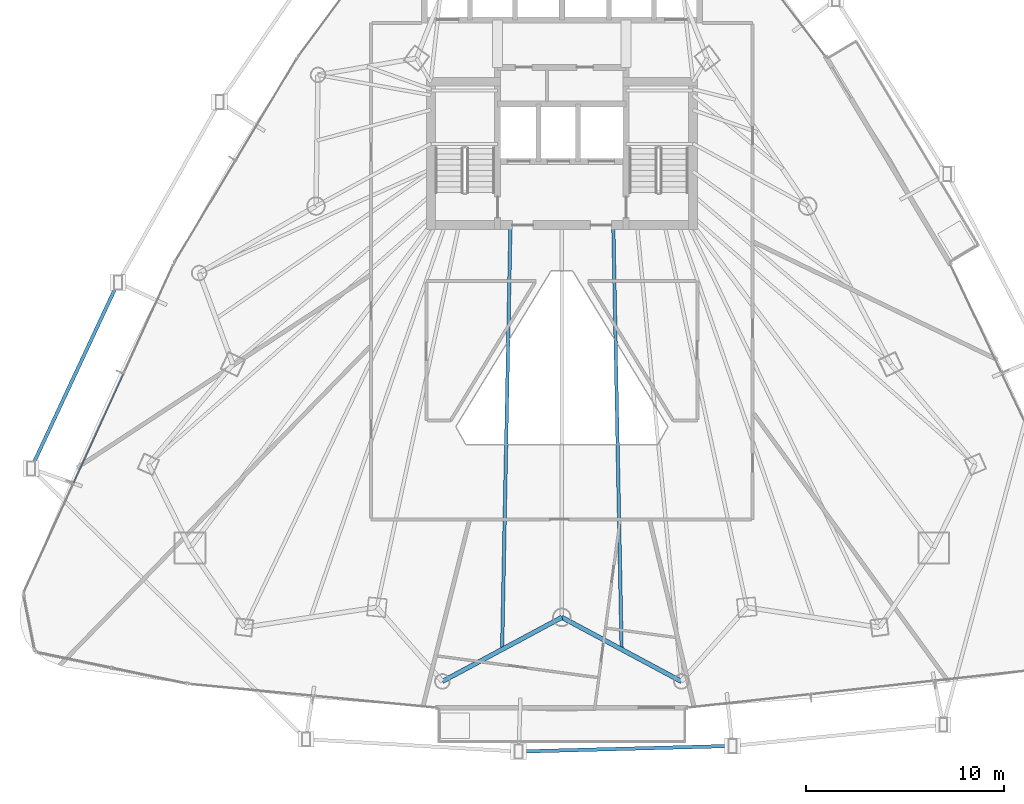
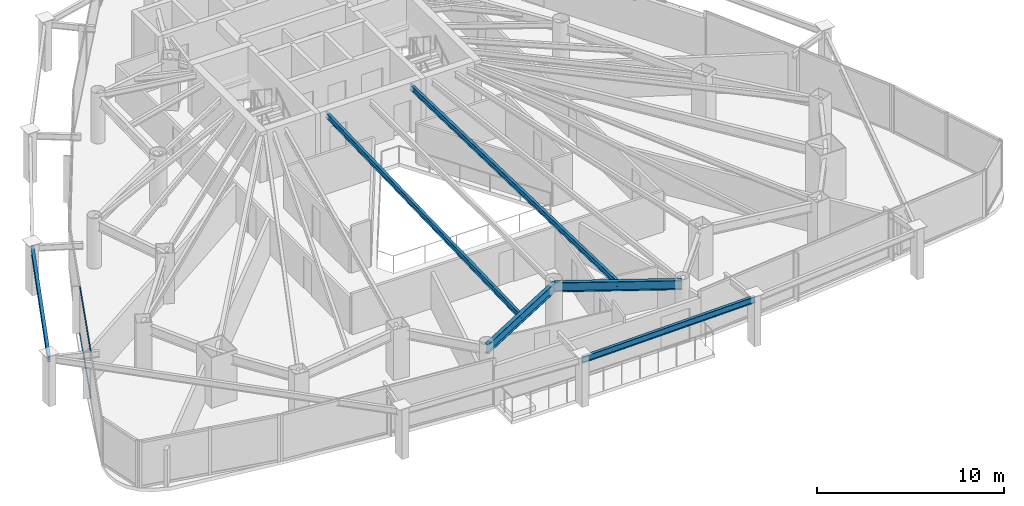
# One storey, part 7 of 33: 6 beams, 2 members, 1 element without a shape of its own.
"""IFC4 building model written with IfcOpenShell, lengths in metres."""

from ifc_helpers import new_model, si_unit, direction, frame, origin, origin_2d, place, context, subcontext, project, spatial, hollow_rectangle, i_section, extrude, material, layer, layer_set, material_profile, profile_set, type_object, element, aggregate, save


model = new_model("IFC4")

# Units and contexts
model_context = context("Model", 3, precision=1e-05, world=origin(), true_north=direction((0.0, 1.0)))
body_context = subcontext(model_context, "Body", "Model", "MODEL_VIEW")
ifc_project = project(units=[si_unit("LENGTHUNIT", "METRE"), si_unit("AREAUNIT", "SQUARE_METRE"), si_unit("VOLUMEUNIT", "CUBIC_METRE"), si_unit("PLANEANGLEUNIT", "RADIAN"), si_unit("MASSUNIT", "GRAM", prefix="KILO")], contexts=[model_context])

# Site, building, storey
site_placement = place(None, origin())
site = spatial("IfcSite", under=ifc_project, at=site_placement, CompositionType="ELEMENT")
building_placement = place(site_placement, origin())
building = spatial("IfcBuilding", under=site, at=building_placement, Name="Orvanel Arch Residences", CompositionType="ELEMENT")
storey_placement = place(building_placement, frame((0.0, 0.0, 87.35009765625)))
storey = spatial("IfcBuildingStorey", under=building, at=storey_placement, Name="L24", CompositionType="ELEMENT", Elevation=87.35009765625)

# Beams
ifc_material_1 = material(Name="Structural steel AS/NZS 3679.1 Grade 300 (300 MPa)", Category="steel")
ifc_material_profile_1 = material_profile(ifc_material_1, i_section(OverallWidth=0.1708984375, OverallDepth=0.35595703125, WebThickness=0.00732421875, FlangeThickness=0.011474609375, at=origin_2d()), Name="360UB50.7")
ifc_profile_set_1 = profile_set([ifc_material_profile_1], Name="Structural steel AS/NZS 3679.1 Grade 300 (300 MPa)")
beam_type_1 = type_object("IfcBeamType", Name="BJ-360UB", PredefinedType="JOIST", material=ifc_profile_set_1)
for number, where, z_axis, x_axis, name in (
    (1, (30.39990234375, 26.675048828125, 2.8818359375), (-0.019617680075, -0.999807554797, 0.0), (0.999807554797, -0.019617680075, 0.0), "L24 WSW2 Wing Floor Joist"),
    (2, (35.60009765625, 26.675048828125, 2.8818359375), (0.019617680075, -0.999807554797, 0.0), (0.999807554797, 0.019617680075, 0.0), "L24 ESE2 Wing Floor Joist"),
):
    element("IfcBeam", number, at=place(storey_placement, frame(where, z_axis=z_axis, x_axis=x_axis)), inside=storey, type_object=beam_type_1, Name=name, PredefinedType="JOIST", context=body_context, shape_type="SweptSolid", body=[
        extrude(i_section(OverallWidth=0.1708984375, OverallDepth=0.35595703125, WebThickness=0.00732421875, FlangeThickness=0.011474609375, at=origin_2d()), origin(), (0.0, 0.0, 1.0), 21.455078125),
    ])
ifc_material_profile_2 = material_profile(ifc_material_1, i_section(OverallWidth=0.177978515625, OverallDepth=0.406005859375, WebThickness=0.0078125, FlangeThickness=0.0126953125, at=origin_2d()), Name="410UB59.7")
ifc_profile_set_2 = profile_set([ifc_material_profile_2], Name="Structural steel AS/NZS 3679.1 Grade 300 (300 MPa)")
beam_type_2 = type_object("IfcBeamType", Name="OB-410UB-EXT", PredefinedType="SPANDREL", material=ifc_profile_set_2)
beam_1_placement = place(storey_placement, frame((10.556884765625, 23.77392578125, 2.85693359375), z_axis=(-0.423226748198, -0.906023796382, 0.0), x_axis=(0.906023796382, -0.423226748198, 0.0)))
element("IfcBeam", 3, at=beam_1_placement, inside=storey, type_object=beam_type_2, Name="L24 Outer Perimeter Floor Ring Beam 03", PredefinedType="SPANDREL", context=body_context, shape_type="SweptSolid", body=[
    extrude(i_section(OverallWidth=0.177978515625, OverallDepth=0.406005859375, WebThickness=0.0078125, FlangeThickness=0.0126953125, at=origin_2d()), origin(), (0.0, 0.0, 1.0), 10.376953125),
])
beam_2_placement = place(storey_placement, frame((30.81494140625, 0.05908203125, 2.85693359375), z_axis=(0.999654919023, 0.026268667152, 0.0), x_axis=(-0.026268667152, 0.999654919023, 0.0)))
element("IfcBeam", 4, at=beam_2_placement, inside=storey, type_object=beam_type_2, Name="L24 Outer Perimeter Floor Ring Beam 06", PredefinedType="SPANDREL", context=body_context, shape_type="SweptSolid", body=[
    extrude(i_section(OverallWidth=0.177978515625, OverallDepth=0.406005859375, WebThickness=0.0078125, FlangeThickness=0.0126953125, at=origin_2d()), origin(), (0.0, 0.0, 1.0), 10.808837890625),
])
ifc_material_profile_3 = material_profile(ifc_material_1, i_section(OverallWidth=0.22900390625, OverallDepth=0.612060546875, WebThickness=0.011962890625, FlangeThickness=0.01953125, at=origin_2d()), Name="610UB125")
ifc_profile_set_3 = profile_set([ifc_material_profile_3], Name="Structural steel AS/NZS 3679.1 Grade 300 (300 MPa)")
beam_type_3 = type_object("IfcBeamType", Name="SP-610UB", PredefinedType="SPANDREL", material=ifc_profile_set_3)
for number, where, z_axis, x_axis, name in (
    (5, (26.9580078125, 3.60498046875, 2.75390625), (0.881344400551, 0.472474388319, 0.0), (-0.472474388319, 0.881344400551, 0.0), "L24 Perimeter Spandrel Beam 06"),
    (6, (33.0, 6.843994140625, 2.75390625), (0.881344400551, -0.472474388319, 0.0), (0.472474388319, 0.881344400551, 0.0), "L24 Perimeter Spandrel Beam 07"),
):
    element("IfcBeam", number, at=place(storey_placement, frame(where, z_axis=z_axis, x_axis=x_axis)), inside=storey, type_object=beam_type_3, Name=name, PredefinedType="SPANDREL", context=body_context, shape_type="SweptSolid", body=[
        extrude(i_section(OverallWidth=0.22900390625, OverallDepth=0.612060546875, WebThickness=0.011962890625, FlangeThickness=0.01953125, at=origin_2d()), origin(), (0.0, 0.0, 1.0), 6.85546875),
    ])

# Curtain wall, members
ifc_material_2 = material(Name="Bronze-anodised aluminium AA6063-T6", Category="aluminium")
ifc_layer = layer(ifc_material_2, 0.179931640625)
ifc_layer_set = layer_set([ifc_layer], Name="Bronze-anodised aluminium AA6063-T6")
curtain_wall_type = type_object("IfcCurtainWallType", Name="CW2-LOW-SYS", PredefinedType="NOTDEFINED", material=ifc_layer_set)
curtain_wall_placement = place(storey_placement, origin())
curtain_wall = element("IfcCurtainWall", 7, at=curtain_wall_placement, inside=storey, type_object=curtain_wall_type, Name="L24 CW2-LOW-SYS Unitised Curtain Wall", PredefinedType="NOTDEFINED")
ifc_material_profile_4 = material_profile(ifc_material_2, hollow_rectangle(XDim=0.06005859375, YDim=0.135009765625, WallThickness=0.00390625, at=origin_2d()), Name="ALU135x60x4")
ifc_profile_set_4 = profile_set([ifc_material_profile_4], Name="Bronze-anodised aluminium AA6063-T6")
member_type = type_object("IfcMemberType", Name="TRN-135x60", PredefinedType="USERDEFINED", material=ifc_profile_set_4)
member_1_placement = place(storey_placement, frame((10.82275390625, 19.1337890625, 0.02978515625), z_axis=(-0.415278513396, -0.909694320259, 0.0), x_axis=(0.909694320259, -0.415278513396, 0.0)))
member_1 = element("IfcMember", 8, at=member_1_placement, type_object=member_type, Name="CW-S2 transom 2.1", ObjectType="TRANSOM", PredefinedType="USERDEFINED", context=body_context, shape_type="SweptSolid", body=[
    extrude(hollow_rectangle(XDim=0.06005859375, YDim=0.135009765625, WallThickness=0.00390625, at=origin_2d()), origin(), (0.0, 0.0, 1.0), 6.03125),
])
member_2_placement = place(storey_placement, frame((10.82275390625, 19.1337890625, 3.02978515625), z_axis=(-0.415278513396, -0.909694320259, 0.0), x_axis=(0.909694320259, -0.415278513396, 0.0)))
member_2 = element("IfcMember", 9, at=member_2_placement, type_object=member_type, Name="CW-S2 transom 2.2", ObjectType="TRANSOM", PredefinedType="USERDEFINED", context=body_context, shape_type="SweptSolid", body=[
    extrude(hollow_rectangle(XDim=0.06005859375, YDim=0.135009765625, WallThickness=0.00390625, at=origin_2d()), origin(), (0.0, 0.0, 1.0), 6.03125),
])
aggregate(curtain_wall, [member_1, member_2])

save(model, "model.ifc")
